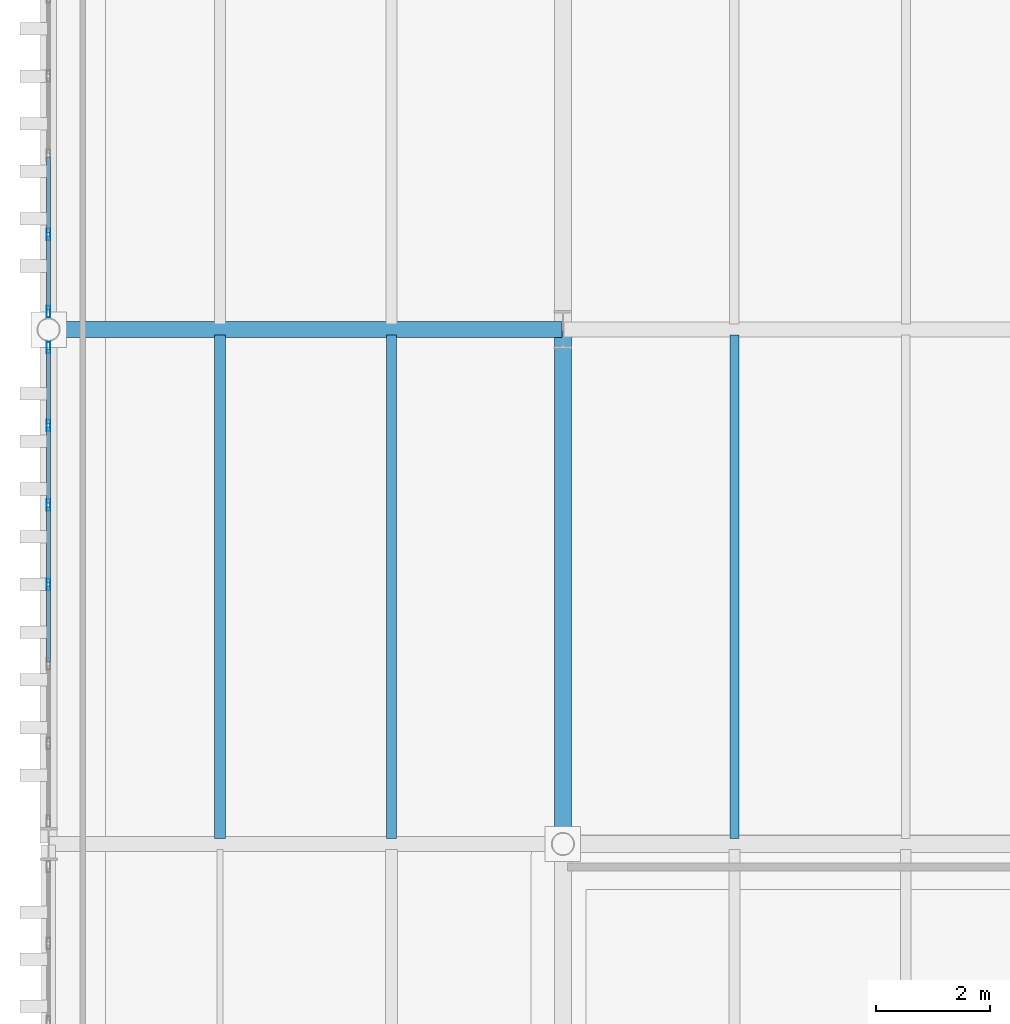
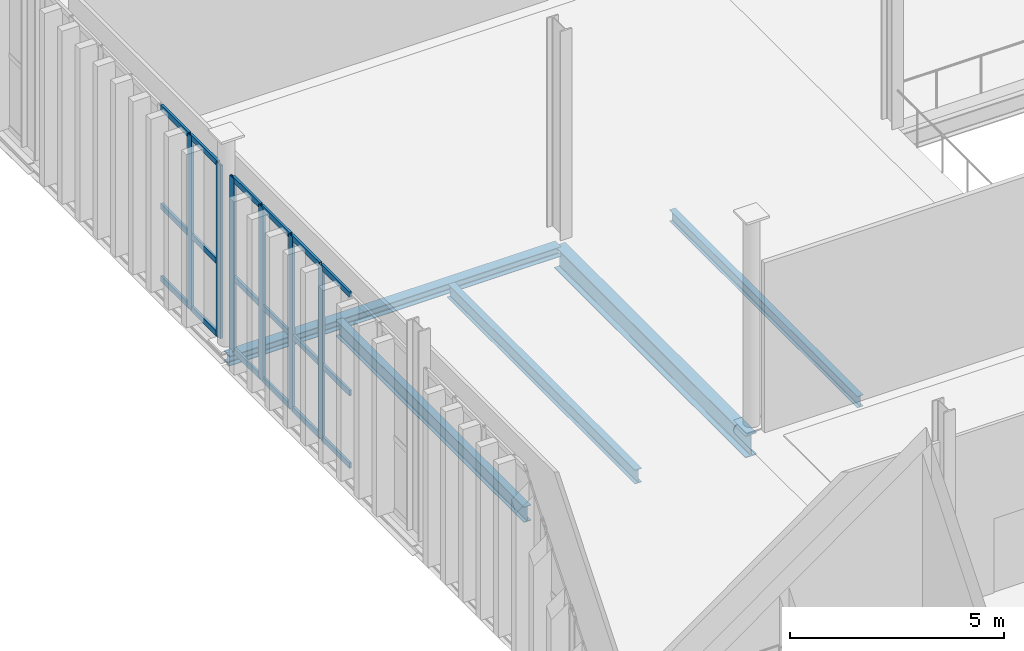
# One storey, part 47 of 211: 24 members, 5 beams, 2 elements without a shape of their own.
"""IFC4 building model written with IfcOpenShell, lengths in metres."""

from ifc_helpers import new_model, si_unit, direction, frame, origin, origin_2d, place, context, subcontext, project, spatial, hollow_rectangle, i_section, extrude, material, layer, layer_set, material_profile, profile_set, type_object, element, aggregate, save


model = new_model("IFC4")

# Units and contexts
model_context = context("Model", 3, precision=1e-05, world=origin(), true_north=direction((0.0, 1.0)))
body_context = subcontext(model_context, "Body", "Model", "MODEL_VIEW")
ifc_project = project(units=[si_unit("LENGTHUNIT", "METRE"), si_unit("AREAUNIT", "SQUARE_METRE"), si_unit("VOLUMEUNIT", "CUBIC_METRE"), si_unit("PLANEANGLEUNIT", "RADIAN"), si_unit("MASSUNIT", "GRAM", prefix="KILO")], contexts=[model_context])

# Site, building, storey
site_placement = place(None, origin())
site = spatial("IfcSite", under=ifc_project, at=site_placement, CompositionType="ELEMENT")
building_placement = place(site_placement, origin())
building = spatial("IfcBuilding", under=site, at=building_placement, Name="Barlavento Convention Centre", CompositionType="ELEMENT")
storey_placement = place(building_placement, frame((0.0, 0.0, 6.0)))
storey = spatial("IfcBuildingStorey", under=building, at=storey_placement, Name="L01", CompositionType="ELEMENT", Elevation=6.0)

# Curtain wall, members
ifc_material_1 = material(Name="Powder-coated aluminium and Low-E glass", Category="aluminium")
ifc_layer = layer(ifc_material_1, 0.18505859375)
ifc_layer_set = layer_set([ifc_layer], Name="ARC-CW-CONG-L01")
curtain_wall_type = type_object("IfcCurtainWallType", Name="ARC-CW-CONG-L01", PredefinedType="NOTDEFINED", material=ifc_layer_set)
curtain_wall_1_placement = place(storey_placement, origin())
curtain_wall_1 = element("IfcCurtainWall", 1, at=curtain_wall_1_placement, inside=storey, type_object=curtain_wall_type, Name="L01 unitised curtain wall CW01", PredefinedType="NOTDEFINED")
ifc_material_2 = material(Name="Powder-coated aluminium", Category="aluminium")
ifc_material_profile_1 = material_profile(ifc_material_2, hollow_rectangle(XDim=0.06494140625, YDim=0.199951171875, WallThickness=0.0048828125, at=origin_2d()), Name="AL-MULL 65x200x5")
ifc_profile_set_1 = profile_set([ifc_material_profile_1], Name="Powder-coated aluminium")
member_type_1 = type_object("IfcMemberType", Name="ARC-CWM-65X200", PredefinedType="MULLION", material=ifc_profile_set_1)
member_1_placement = place(storey_placement, frame((0.0, 40.54150390625, 0.0), z_axis=(0.0, 0.0, 1.0), x_axis=(-1.0, 0.0, 0.0)))
member_1 = element("IfcMember", 2, at=member_1_placement, type_object=member_type_1, Name="CW01 mullion 4", PredefinedType="MULLION", context=body_context, shape_type="SweptSolid", body=[
    extrude(hollow_rectangle(XDim=0.06494140625, YDim=0.199951171875, WallThickness=0.0048828125, at=origin_2d()), origin(), (0.0, 0.0, 1.0), 4.949951171875),
])
member_2_placement = place(storey_placement, frame((0.0, 41.93310546875, 0.0), z_axis=(0.0, 0.0, 1.0), x_axis=(-1.0, 0.0, 0.0)))
member_2 = element("IfcMember", 3, at=member_2_placement, type_object=member_type_1, Name="CW01 mullion 5", PredefinedType="MULLION", context=body_context, shape_type="SweptSolid", body=[
    extrude(hollow_rectangle(XDim=0.06494140625, YDim=0.199951171875, WallThickness=0.0048828125, at=origin_2d()), origin(), (0.0, 0.0, 1.0), 4.949951171875),
])
member_3_placement = place(storey_placement, frame((0.0, 43.324951171875, 0.0), z_axis=(0.0, 0.0, 1.0), x_axis=(-1.0, 0.0, 0.0)))
member_3 = element("IfcMember", 4, at=member_3_placement, type_object=member_type_1, Name="CW01 mullion 6", PredefinedType="MULLION", context=body_context, shape_type="SweptSolid", body=[
    extrude(hollow_rectangle(XDim=0.06494140625, YDim=0.199951171875, WallThickness=0.0048828125, at=origin_2d()), origin(), (0.0, 0.0, 1.0), 4.949951171875),
])
member_4_placement = place(storey_placement, frame((0.0, 44.684326171875, 0.0), z_axis=(0.0, 0.0, 1.0), x_axis=(-1.0, 0.0, 0.0)))
member_4 = element("IfcMember", 5, at=member_4_placement, type_object=member_type_1, Name="CW01 mullion 7", PredefinedType="MULLION", context=body_context, shape_type="SweptSolid", body=[
    extrude(hollow_rectangle(XDim=0.06494140625, YDim=0.199951171875, WallThickness=0.0048828125, at=origin_2d()), origin(), (0.0, 0.0, 1.0), 4.949951171875),
])

curtain_wall_2_placement = place(storey_placement, origin())
curtain_wall_2 = element("IfcCurtainWall", 6, at=curtain_wall_2_placement, inside=storey, type_object=curtain_wall_type, Name="L01 unitised curtain wall CW01", PredefinedType="NOTDEFINED")
member_5_placement = place(storey_placement, frame((0.0, 45.315673828125, 0.0), z_axis=(0.0, 0.0, 1.0), x_axis=(-1.0, 0.0, 0.0)))
member_5 = element("IfcMember", 7, at=member_5_placement, type_object=member_type_1, Name="CW01 mullion 1", PredefinedType="MULLION", context=body_context, shape_type="SweptSolid", body=[
    extrude(hollow_rectangle(XDim=0.06494140625, YDim=0.199951171875, WallThickness=0.0048828125, at=origin_2d()), origin(), (0.0, 0.0, 1.0), 4.949951171875),
])
member_6_placement = place(storey_placement, frame((0.0, 46.6669921875, 0.0), z_axis=(0.0, 0.0, 1.0), x_axis=(-1.0, 0.0, 0.0)))
member_6 = element("IfcMember", 8, at=member_6_placement, type_object=member_type_1, Name="CW01 mullion 2", PredefinedType="MULLION", context=body_context, shape_type="SweptSolid", body=[
    extrude(hollow_rectangle(XDim=0.06494140625, YDim=0.199951171875, WallThickness=0.0048828125, at=origin_2d()), origin(), (0.0, 0.0, 1.0), 4.949951171875),
])

# Member
ifc_material_profile_2 = material_profile(ifc_material_2, hollow_rectangle(XDim=0.06494140625, YDim=0.159912109375, WallThickness=0.0048828125, at=origin_2d()), Name="AL-TRAN 65x160x5")
ifc_profile_set_2 = profile_set([ifc_material_profile_2], Name="Powder-coated aluminium")
member_type_2 = type_object("IfcMemberType", Name="ARC-CWT-65X160", PredefinedType="USERDEFINED", material=ifc_profile_set_2)
member_7_placement = place(storey_placement, frame((0.0, 39.18212890625, 0.032470703125), z_axis=(0.0, 1.0, 0.0), x_axis=(-1.0, 0.0, 0.0)))
member_7 = element("IfcMember", 9, at=member_7_placement, type_object=member_type_2, Name="CW01 transom 3.1", ObjectType="TRANSOM", PredefinedType="USERDEFINED", context=body_context, shape_type="SweptSolid", body=[
    extrude(hollow_rectangle(XDim=0.06494140625, YDim=0.159912109375, WallThickness=0.0048828125, at=origin_2d()), origin(), (0.0, 0.0, 1.0), 1.32666015625),
])

member_8_placement = place(storey_placement, frame((0.0, 39.18212890625, 2.10009765625), z_axis=(0.0, 1.0, 0.0), x_axis=(-1.0, 0.0, 0.0)))
member_8 = element("IfcMember", 10, at=member_8_placement, type_object=member_type_2, Name="CW01 transom 3.2", ObjectType="TRANSOM", PredefinedType="USERDEFINED", context=body_context, shape_type="SweptSolid", body=[
    extrude(hollow_rectangle(XDim=0.06494140625, YDim=0.159912109375, WallThickness=0.0048828125, at=origin_2d()), origin(), (0.0, 0.0, 1.0), 1.32666015625),
])

member_9_placement = place(storey_placement, frame((0.0, 39.18212890625, 4.91748046875), z_axis=(0.0, 1.0, 0.0), x_axis=(-1.0, 0.0, 0.0)))
member_9 = element("IfcMember", 11, at=member_9_placement, type_object=member_type_2, Name="CW01 transom 3.3", ObjectType="TRANSOM", PredefinedType="USERDEFINED", context=body_context, shape_type="SweptSolid", body=[
    extrude(hollow_rectangle(XDim=0.06494140625, YDim=0.159912109375, WallThickness=0.0048828125, at=origin_2d()), origin(), (0.0, 0.0, 1.0), 1.32666015625),
])

member_10_placement = place(storey_placement, frame((0.0, 40.573974609375, 0.032470703125), z_axis=(0.0, 1.0, 0.0), x_axis=(-1.0, 0.0, 0.0)))
member_10 = element("IfcMember", 12, at=member_10_placement, type_object=member_type_2, Name="CW01 transom 4.1", ObjectType="TRANSOM", PredefinedType="USERDEFINED", context=body_context, shape_type="SweptSolid", body=[
    extrude(hollow_rectangle(XDim=0.06494140625, YDim=0.159912109375, WallThickness=0.0048828125, at=origin_2d()), origin(), (0.0, 0.0, 1.0), 1.32666015625),
])

member_11_placement = place(storey_placement, frame((0.0, 40.573974609375, 2.10009765625), z_axis=(0.0, 1.0, 0.0), x_axis=(-1.0, 0.0, 0.0)))
member_11 = element("IfcMember", 13, at=member_11_placement, type_object=member_type_2, Name="CW01 transom 4.2", ObjectType="TRANSOM", PredefinedType="USERDEFINED", context=body_context, shape_type="SweptSolid", body=[
    extrude(hollow_rectangle(XDim=0.06494140625, YDim=0.159912109375, WallThickness=0.0048828125, at=origin_2d()), origin(), (0.0, 0.0, 1.0), 1.32666015625),
])

member_12_placement = place(storey_placement, frame((0.0, 40.573974609375, 4.91748046875), z_axis=(0.0, 1.0, 0.0), x_axis=(-1.0, 0.0, 0.0)))
member_12 = element("IfcMember", 14, at=member_12_placement, type_object=member_type_2, Name="CW01 transom 4.3", ObjectType="TRANSOM", PredefinedType="USERDEFINED", context=body_context, shape_type="SweptSolid", body=[
    extrude(hollow_rectangle(XDim=0.06494140625, YDim=0.159912109375, WallThickness=0.0048828125, at=origin_2d()), origin(), (0.0, 0.0, 1.0), 1.32666015625),
])

member_13_placement = place(storey_placement, frame((0.0, 41.9658203125, 0.032470703125), z_axis=(0.0, 1.0, 0.0), x_axis=(-1.0, 0.0, 0.0)))
member_13 = element("IfcMember", 15, at=member_13_placement, type_object=member_type_2, Name="CW01 transom 5.1", ObjectType="TRANSOM", PredefinedType="USERDEFINED", context=body_context, shape_type="SweptSolid", body=[
    extrude(hollow_rectangle(XDim=0.06494140625, YDim=0.159912109375, WallThickness=0.0048828125, at=origin_2d()), origin(), (0.0, 0.0, 1.0), 1.32666015625),
])

member_14_placement = place(storey_placement, frame((0.0, 41.9658203125, 2.10009765625), z_axis=(0.0, 1.0, 0.0), x_axis=(-1.0, 0.0, 0.0)))
member_14 = element("IfcMember", 16, at=member_14_placement, type_object=member_type_2, Name="CW01 transom 5.2", ObjectType="TRANSOM", PredefinedType="USERDEFINED", context=body_context, shape_type="SweptSolid", body=[
    extrude(hollow_rectangle(XDim=0.06494140625, YDim=0.159912109375, WallThickness=0.0048828125, at=origin_2d()), origin(), (0.0, 0.0, 1.0), 1.32666015625),
])

member_15_placement = place(storey_placement, frame((0.0, 41.9658203125, 4.91748046875), z_axis=(0.0, 1.0, 0.0), x_axis=(-1.0, 0.0, 0.0)))
member_15 = element("IfcMember", 17, at=member_15_placement, type_object=member_type_2, Name="CW01 transom 5.3", ObjectType="TRANSOM", PredefinedType="USERDEFINED", context=body_context, shape_type="SweptSolid", body=[
    extrude(hollow_rectangle(XDim=0.06494140625, YDim=0.159912109375, WallThickness=0.0048828125, at=origin_2d()), origin(), (0.0, 0.0, 1.0), 1.32666015625),
])

member_16_placement = place(storey_placement, frame((0.0, 43.357421875, 0.032470703125), z_axis=(0.0, 1.0, 0.0), x_axis=(-1.0, 0.0, 0.0)))
member_16 = element("IfcMember", 18, at=member_16_placement, type_object=member_type_2, Name="CW01 transom 6.1", ObjectType="TRANSOM", PredefinedType="USERDEFINED", context=body_context, shape_type="SweptSolid", body=[
    extrude(hollow_rectangle(XDim=0.06494140625, YDim=0.159912109375, WallThickness=0.0048828125, at=origin_2d()), origin(), (0.0, 0.0, 1.0), 1.29443359375),
])

member_17_placement = place(storey_placement, frame((0.0, 43.357421875, 2.10009765625), z_axis=(0.0, 1.0, 0.0), x_axis=(-1.0, 0.0, 0.0)))
member_17 = element("IfcMember", 19, at=member_17_placement, type_object=member_type_2, Name="CW01 transom 6.2", ObjectType="TRANSOM", PredefinedType="USERDEFINED", context=body_context, shape_type="SweptSolid", body=[
    extrude(hollow_rectangle(XDim=0.06494140625, YDim=0.159912109375, WallThickness=0.0048828125, at=origin_2d()), origin(), (0.0, 0.0, 1.0), 1.29443359375),
])

member_18_placement = place(storey_placement, frame((0.0, 43.357421875, 4.91748046875), z_axis=(0.0, 1.0, 0.0), x_axis=(-1.0, 0.0, 0.0)))
member_18 = element("IfcMember", 20, at=member_18_placement, type_object=member_type_2, Name="CW01 transom 6.3", ObjectType="TRANSOM", PredefinedType="USERDEFINED", context=body_context, shape_type="SweptSolid", body=[
    extrude(hollow_rectangle(XDim=0.06494140625, YDim=0.159912109375, WallThickness=0.0048828125, at=origin_2d()), origin(), (0.0, 0.0, 1.0), 1.29443359375),
])

aggregate(curtain_wall_1, [member_1, member_2, member_3, member_4, member_7, member_8, member_9, member_10, member_11, member_12, member_13, member_14, member_15, member_16, member_17, member_18])

member_19_placement = place(storey_placement, frame((0.0, 45.34814453125, 0.032470703125), z_axis=(0.0, 1.0, 0.0), x_axis=(-1.0, 0.0, 0.0)))
member_19 = element("IfcMember", 21, at=member_19_placement, type_object=member_type_2, Name="CW01 transom 1.1", ObjectType="TRANSOM", PredefinedType="USERDEFINED", context=body_context, shape_type="SweptSolid", body=[
    extrude(hollow_rectangle(XDim=0.06494140625, YDim=0.159912109375, WallThickness=0.0048828125, at=origin_2d()), origin(), (0.0, 0.0, 1.0), 1.286376953125),
])

member_20_placement = place(storey_placement, frame((0.0, 45.34814453125, 2.10009765625), z_axis=(0.0, 1.0, 0.0), x_axis=(-1.0, 0.0, 0.0)))
member_20 = element("IfcMember", 22, at=member_20_placement, type_object=member_type_2, Name="CW01 transom 1.2", ObjectType="TRANSOM", PredefinedType="USERDEFINED", context=body_context, shape_type="SweptSolid", body=[
    extrude(hollow_rectangle(XDim=0.06494140625, YDim=0.159912109375, WallThickness=0.0048828125, at=origin_2d()), origin(), (0.0, 0.0, 1.0), 1.286376953125),
])

member_21_placement = place(storey_placement, frame((0.0, 45.34814453125, 4.91748046875), z_axis=(0.0, 1.0, 0.0), x_axis=(-1.0, 0.0, 0.0)))
member_21 = element("IfcMember", 23, at=member_21_placement, type_object=member_type_2, Name="CW01 transom 1.3", ObjectType="TRANSOM", PredefinedType="USERDEFINED", context=body_context, shape_type="SweptSolid", body=[
    extrude(hollow_rectangle(XDim=0.06494140625, YDim=0.159912109375, WallThickness=0.0048828125, at=origin_2d()), origin(), (0.0, 0.0, 1.0), 1.286376953125),
])

member_22_placement = place(storey_placement, frame((0.0, 46.699462890625, 0.032470703125), z_axis=(0.0, 1.0, 0.0), x_axis=(-1.0, 0.0, 0.0)))
member_22 = element("IfcMember", 24, at=member_22_placement, type_object=member_type_2, Name="CW01 transom 2.1", ObjectType="TRANSOM", PredefinedType="USERDEFINED", context=body_context, shape_type="SweptSolid", body=[
    extrude(hollow_rectangle(XDim=0.06494140625, YDim=0.159912109375, WallThickness=0.0048828125, at=origin_2d()), origin(), (0.0, 0.0, 1.0), 1.31884765625),
])

member_23_placement = place(storey_placement, frame((0.0, 46.699462890625, 2.10009765625), z_axis=(0.0, 1.0, 0.0), x_axis=(-1.0, 0.0, 0.0)))
member_23 = element("IfcMember", 25, at=member_23_placement, type_object=member_type_2, Name="CW01 transom 2.2", ObjectType="TRANSOM", PredefinedType="USERDEFINED", context=body_context, shape_type="SweptSolid", body=[
    extrude(hollow_rectangle(XDim=0.06494140625, YDim=0.159912109375, WallThickness=0.0048828125, at=origin_2d()), origin(), (0.0, 0.0, 1.0), 1.31884765625),
])

member_24_placement = place(storey_placement, frame((0.0, 46.699462890625, 4.91748046875), z_axis=(0.0, 1.0, 0.0), x_axis=(-1.0, 0.0, 0.0)))
member_24 = element("IfcMember", 26, at=member_24_placement, type_object=member_type_2, Name="CW01 transom 2.3", ObjectType="TRANSOM", PredefinedType="USERDEFINED", context=body_context, shape_type="SweptSolid", body=[
    extrude(hollow_rectangle(XDim=0.06494140625, YDim=0.159912109375, WallThickness=0.0048828125, at=origin_2d()), origin(), (0.0, 0.0, 1.0), 1.31884765625),
])

aggregate(curtain_wall_2, [member_5, member_6, member_19, member_20, member_21, member_22, member_23, member_24])

# Beams
ifc_material_3 = material(Name="Steel S355", Category="steel")
ifc_material_profile_3 = material_profile(ifc_material_3, i_section(OverallWidth=0.159912109375, OverallDepth=0.330078125, WebThickness=0.007568359375, FlangeThickness=0.011474609375, FilletRadius=0.01806640625, at=origin_2d()), Name="IPE 330")
ifc_profile_set_3 = profile_set([ifc_material_profile_3], Name="Steel S355")
beam_type_1 = type_object("IfcBeamType", Name="STR-BM-JST-IPE330", PredefinedType="JOIST", material=ifc_profile_set_3)
beam_1_placement = place(storey_placement, frame((12.0, 36.094970703125, -0.465087890625), z_axis=(0.0, 1.0, 0.0), x_axis=(-1.0, 0.0, 0.0)))
element("IfcBeam", 27, at=beam_1_placement, inside=storey, type_object=beam_type_1, Name="L01 composite floor joist SJ06", PredefinedType="JOIST", context=body_context, shape_type="SweptSolid", body=[
    extrude(i_section(OverallWidth=0.159912109375, OverallDepth=0.330078125, WebThickness=0.007568359375, FlangeThickness=0.011474609375, FilletRadius=0.01806640625, at=origin_2d()), origin(), (0.0, 0.0, 1.0), 8.81005859375),
])
ifc_material_profile_4 = material_profile(ifc_material_3, i_section(OverallWidth=0.179931640625, OverallDepth=0.39990234375, WebThickness=0.008544921875, FlangeThickness=0.013427734375, FilletRadius=0.02099609375, at=origin_2d()), Name="IPE 400")
ifc_profile_set_4 = profile_set([ifc_material_profile_4], Name="Steel S355")
beam_type_2 = type_object("IfcBeamType", Name="STR-BM-JST-IPE400", PredefinedType="JOIST", material=ifc_profile_set_4)
beam_2_placement = place(storey_placement, frame((6.0, 36.094970703125, -0.5), z_axis=(0.0, 1.0, 0.0), x_axis=(-1.0, 0.0, 0.0)))
element("IfcBeam", 28, at=beam_2_placement, inside=storey, type_object=beam_type_2, Name="L01 composite floor joist SJ04", PredefinedType="JOIST", context=body_context, shape_type="SweptSolid", body=[
    extrude(i_section(OverallWidth=0.179931640625, OverallDepth=0.39990234375, WebThickness=0.008544921875, FlangeThickness=0.013427734375, FilletRadius=0.02099609375, at=origin_2d()), origin(), (0.0, 0.0, 1.0), 8.81005859375),
])
ifc_material_profile_5 = material_profile(ifc_material_3, i_section(OverallWidth=0.18994140625, OverallDepth=0.449951171875, WebThickness=0.009521484375, FlangeThickness=0.0146484375, FilletRadius=0.02099609375, at=origin_2d()), Name="IPE 450")
ifc_profile_set_5 = profile_set([ifc_material_profile_5], Name="Steel S355")
beam_type_3 = type_object("IfcBeamType", Name="STR-BM-JST-IPE450", PredefinedType="JOIST", material=ifc_profile_set_5)
beam_3_placement = place(storey_placement, frame((3.0, 36.094970703125, -0.52490234375), z_axis=(0.0, 1.0, 0.0), x_axis=(-1.0, 0.0, 0.0)))
element("IfcBeam", 29, at=beam_3_placement, inside=storey, type_object=beam_type_3, Name="L01 composite floor joist SJ03", PredefinedType="JOIST", context=body_context, shape_type="SweptSolid", body=[
    extrude(i_section(OverallWidth=0.18994140625, OverallDepth=0.449951171875, WebThickness=0.009521484375, FlangeThickness=0.0146484375, FilletRadius=0.02099609375, at=origin_2d()), origin(), (0.0, 0.0, 1.0), 8.81005859375),
])
ifc_material_profile_6 = material_profile(ifc_material_3, i_section(OverallWidth=0.300048828125, OverallDepth=0.639892578125, WebThickness=0.013427734375, FlangeThickness=0.02587890625, FilletRadius=0.027099609375, at=origin_2d()), Name="HEA 650")
ifc_profile_set_6 = profile_set([ifc_material_profile_6], Name="Steel S355")
beam_type_4 = type_object("IfcBeamType", Name="STR-BM-PRI-HEA650", PredefinedType="BEAM", material=ifc_profile_set_6)
beam_4_placement = place(storey_placement, frame((9.0, 36.02001953125, -0.6201171875), z_axis=(0.0, 1.0, 0.0), x_axis=(-1.0, 0.0, 0.0)))
element("IfcBeam", 30, at=beam_4_placement, inside=storey, type_object=beam_type_4, Name="L01 grid girder BG17", PredefinedType="BEAM", context=body_context, shape_type="SweptSolid", body=[
    extrude(i_section(OverallWidth=0.300048828125, OverallDepth=0.639892578125, WebThickness=0.013427734375, FlangeThickness=0.02587890625, FilletRadius=0.027099609375, at=origin_2d()), origin(), (0.0, 0.0, 1.0), 8.9599609375),
])
ifc_material_profile_7 = material_profile(ifc_material_3, i_section(OverallWidth=0.280029296875, OverallDepth=0.280029296875, WebThickness=0.010498046875, FlangeThickness=0.01806640625, FilletRadius=0.02392578125, at=origin_2d()), Name="HEB 280")
ifc_profile_set_7 = profile_set([ifc_material_profile_7], Name="Steel S355")
beam_type_5 = type_object("IfcBeamType", Name="STR-BM-PRI-HEB280", PredefinedType="BEAM", material=ifc_profile_set_7)
beam_5_placement = place(storey_placement, frame((0.02001953125, 45.0, -0.43994140625), z_axis=(1.0, 0.0, 0.0), x_axis=(0.0, 1.0, 0.0)))
element("IfcBeam", 31, at=beam_5_placement, inside=storey, type_object=beam_type_5, Name="L01 primary girder BG15", PredefinedType="BEAM", context=body_context, shape_type="SweptSolid", body=[
    extrude(i_section(OverallWidth=0.280029296875, OverallDepth=0.280029296875, WebThickness=0.010498046875, FlangeThickness=0.01806640625, FilletRadius=0.02392578125, at=origin_2d()), origin(), (0.0, 0.0, 1.0), 8.9599609375),
])

save(model, "model.ifc")
